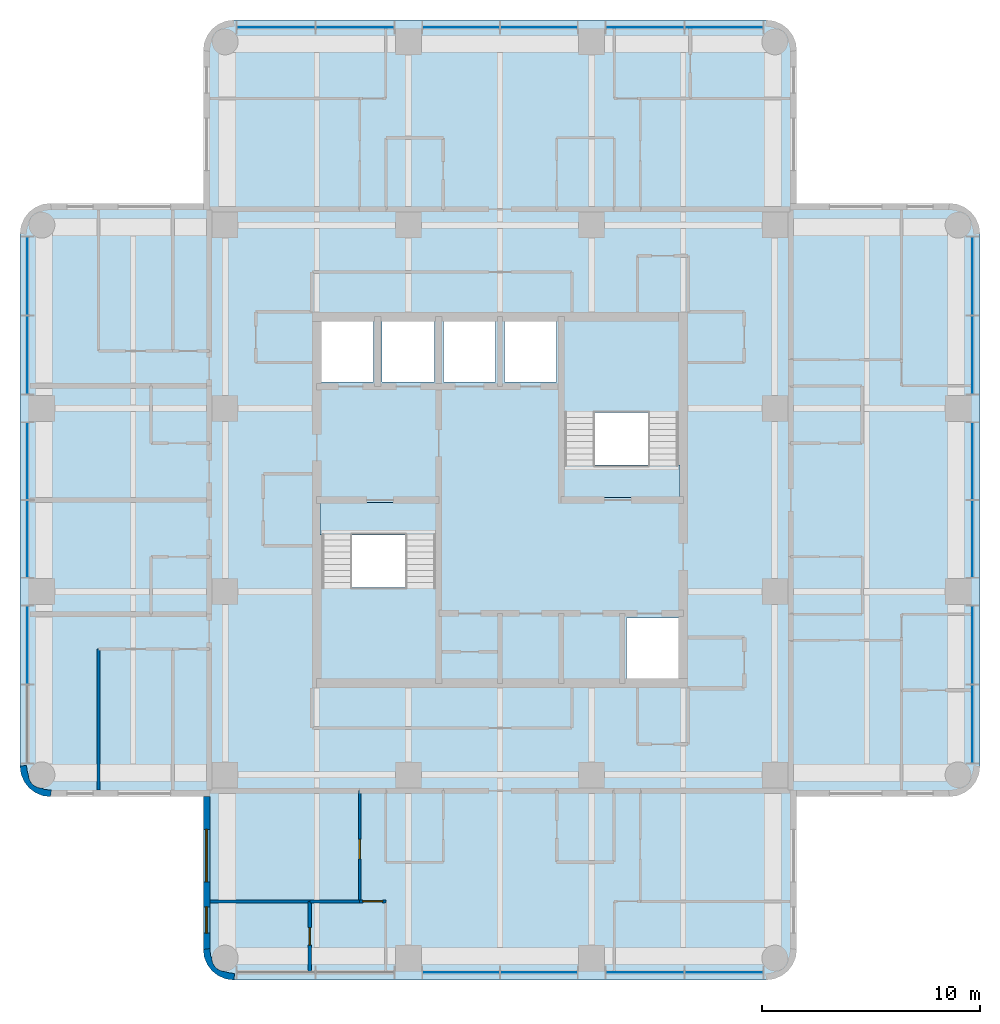
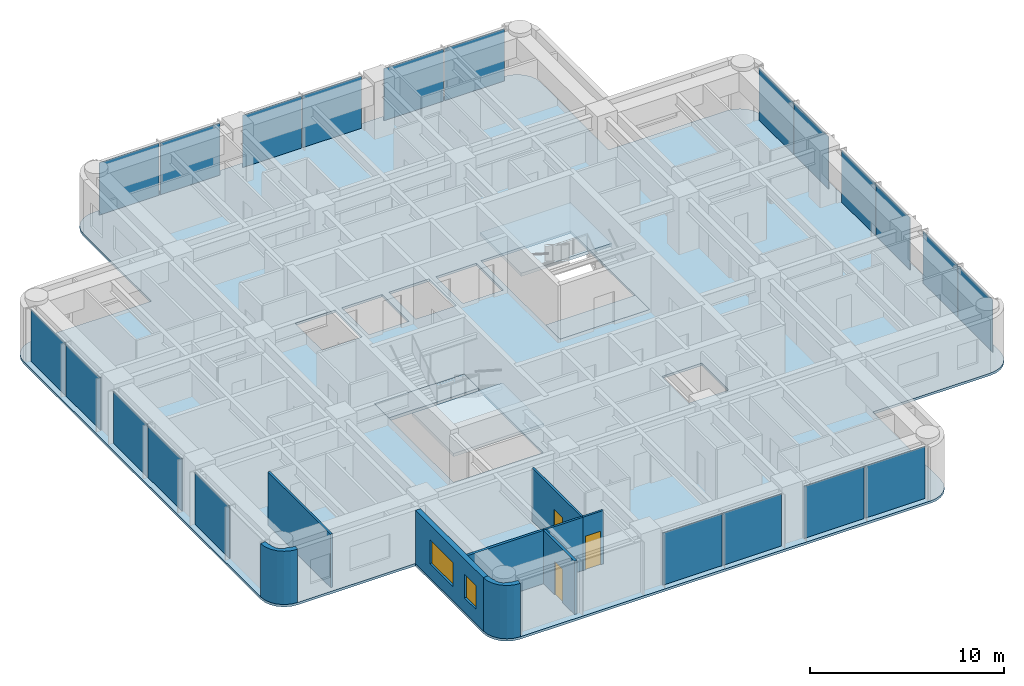
# One storey, part 3 of 10: 21 plates, 9 walls, 5 slabs, 3 doors, 2 windows, 5 openings, 6 elements without a shape of their own.
"""IFC4 building model written with IfcOpenShell, lengths in metres."""

from ifc_helpers import new_model, si_unit, direction, frame, frame_2d, origin, origin_2d, place, context, subcontext, project, spatial, polyline, rectangle, outline, extrude, material, layer, layer_set, type_object, element, fill, aggregate, save


model = new_model("IFC4")

# Units and contexts
model_context = context("Model", 3, precision=1e-05, world=origin(), true_north=direction((0.0, 1.0)))
body_context = subcontext(model_context, "Body", "Model", "MODEL_VIEW")
ifc_project = project(units=[si_unit("LENGTHUNIT", "METRE"), si_unit("AREAUNIT", "SQUARE_METRE"), si_unit("VOLUMEUNIT", "CUBIC_METRE"), si_unit("PLANEANGLEUNIT", "RADIAN"), si_unit("MASSUNIT", "GRAM", prefix="KILO")], contexts=[model_context])

# Site, building, storey
site_placement = place(None, origin())
site = spatial("IfcSite", under=ifc_project, at=site_placement, CompositionType="ELEMENT")
building_placement = place(site_placement, origin())
building = spatial("IfcBuilding", under=site, at=building_placement, Name="Torre Alcanfor", CompositionType="ELEMENT")
storey_placement = place(building_placement, frame((0.0, 0.0, 297.300048828125)))
storey = spatial("IfcBuildingStorey", under=building, at=storey_placement, Name="L78", CompositionType="ELEMENT", Elevation=297.300048828125)

# Curtain wall, plates
ifc_material_1 = material(Name="Aluminium and glass", Category="aluminium")
curtain_wall_type = type_object("IfcCurtainWallType", Name="CW-A unitised apartment glazing with vertical FIN", PredefinedType="NOTDEFINED", material=ifc_material_1)
curtain_wall_1_placement = place(storey_placement, origin())
curtain_wall_1 = element("IfcCurtainWall", 1, at=curtain_wall_1_placement, inside=storey, type_object=curtain_wall_type, Name="Curtain wall CW-A L78 2", PredefinedType="NOTDEFINED")
ifc_material_2 = material(Name="Glass", Category="glass")
ifc_layer_1 = layer(ifc_material_2, 0.028076171875)
ifc_layer_set_1 = layer_set([ifc_layer_1], Name="CW-A clear double glazed unit")
plate_type = type_object("IfcPlateType", Name="CW-A clear double glazed unit", PredefinedType="CURTAIN_PANEL", material=ifc_layer_set_1)
plate_1_placement = place(storey_placement, frame((7.75, 39.664794921875, 0.0), z_axis=(0.0, 0.0, 1.0), x_axis=(0.0, -1.0, 0.0)))
plate_1 = element("IfcPlate", 2, at=plate_1_placement, type_object=plate_type, Name="CW-A panel 1.1.1", PredefinedType="CURTAIN_PANEL", context=body_context, shape_type="SweptSolid", body=[
    extrude(rectangle(XDim=3.55322265625, YDim=0.028076171875, at=origin_2d()), origin(), (0.0, 0.0, 1.0), 3.284912109375),
])
plate_2_placement = place(storey_placement, frame((7.75, 36.046630859375, 0.0), z_axis=(0.0, 0.0, 1.0), x_axis=(0.0, -1.0, 0.0)))
plate_2 = element("IfcPlate", 3, at=plate_2_placement, type_object=plate_type, Name="CW-A panel 1.2.1", PredefinedType="CURTAIN_PANEL", context=body_context, shape_type="SweptSolid", body=[
    extrude(rectangle(XDim=3.55322265625, YDim=0.028076171875, at=origin_2d()), origin(), (0.0, 0.0, 1.0), 3.284912109375),
])
plate_3_placement = place(storey_placement, frame((7.75, 31.18115234375, 0.0), z_axis=(0.0, 0.0, 1.0), x_axis=(0.0, -1.0, 0.0)))
plate_3 = element("IfcPlate", 4, at=plate_3_placement, type_object=plate_type, Name="CW-A panel 2.1.1", PredefinedType="CURTAIN_PANEL", context=body_context, shape_type="SweptSolid", body=[
    extrude(rectangle(XDim=3.49755859375, YDim=0.028076171875, at=origin_2d()), origin(), (0.0, 0.0, 1.0), 3.284912109375),
])
plate_4_placement = place(storey_placement, frame((7.75, 27.61865234375, 0.0), z_axis=(0.0, 0.0, 1.0), x_axis=(0.0, -1.0, 0.0)))
plate_4 = element("IfcPlate", 5, at=plate_4_placement, type_object=plate_type, Name="CW-A panel 2.2.1", PredefinedType="CURTAIN_PANEL", context=body_context, shape_type="SweptSolid", body=[
    extrude(rectangle(XDim=3.49755859375, YDim=0.028076171875, at=origin_2d()), origin(), (0.0, 0.0, 1.0), 3.284912109375),
])
plate_5_placement = place(storey_placement, frame((7.75, 22.75341796875, 0.0), z_axis=(0.0, 0.0, 1.0), x_axis=(0.0, -1.0, 0.0)))
plate_5 = element("IfcPlate", 6, at=plate_5_placement, type_object=plate_type, Name="CW-A panel 3.1.1", PredefinedType="CURTAIN_PANEL", context=body_context, shape_type="SweptSolid", body=[
    extrude(rectangle(XDim=3.55322265625, YDim=0.028076171875, at=origin_2d()), origin(), (0.0, 0.0, 1.0), 3.284912109375),
])
aggregate(curtain_wall_1, [plate_1, plate_2, plate_3, plate_4, plate_5])

curtain_wall_2_placement = place(storey_placement, origin())
curtain_wall_2 = element("IfcCurtainWall", 7, at=curtain_wall_2_placement, inside=storey, type_object=curtain_wall_type, Name="Curtain wall CW-A L78 5", PredefinedType="NOTDEFINED")
plate_6_placement = place(storey_placement, frame((27.61865234375, 7.75, 0.0), z_axis=(0.0, 0.0, 1.0), x_axis=(1.0, 0.0, 0.0)))
plate_6 = element("IfcPlate", 8, at=plate_6_placement, type_object=plate_type, Name="CW-A panel 2.1.1", PredefinedType="CURTAIN_PANEL", context=body_context, shape_type="SweptSolid", body=[
    extrude(rectangle(XDim=3.49755859375, YDim=0.028076171875, at=origin_2d()), origin(), (0.0, 0.0, 1.0), 3.284912109375),
])
plate_7_placement = place(storey_placement, frame((31.18115234375, 7.75, 0.0), z_axis=(0.0, 0.0, 1.0), x_axis=(1.0, 0.0, 0.0)))
plate_7 = element("IfcPlate", 9, at=plate_7_placement, type_object=plate_type, Name="CW-A panel 2.2.1", PredefinedType="CURTAIN_PANEL", context=body_context, shape_type="SweptSolid", body=[
    extrude(rectangle(XDim=3.49755859375, YDim=0.028076171875, at=origin_2d()), origin(), (0.0, 0.0, 1.0), 3.284912109375),
])
plate_8_placement = place(storey_placement, frame((36.046630859375, 7.75, 0.0), z_axis=(0.0, 0.0, 1.0), x_axis=(1.0, 0.0, 0.0)))
plate_8 = element("IfcPlate", 10, at=plate_8_placement, type_object=plate_type, Name="CW-A panel 3.1.1", PredefinedType="CURTAIN_PANEL", context=body_context, shape_type="SweptSolid", body=[
    extrude(rectangle(XDim=3.55322265625, YDim=0.028076171875, at=origin_2d()), origin(), (0.0, 0.0, 1.0), 3.284912109375),
])
plate_9_placement = place(storey_placement, frame((39.664794921875, 7.75, 0.0), z_axis=(0.0, 0.0, 1.0), x_axis=(1.0, 0.0, 0.0)))
plate_9 = element("IfcPlate", 11, at=plate_9_placement, type_object=plate_type, Name="CW-A panel 3.2.1", PredefinedType="CURTAIN_PANEL", context=body_context, shape_type="SweptSolid", body=[
    extrude(rectangle(XDim=3.55322265625, YDim=0.028076171875, at=origin_2d()), origin(), (0.0, 0.0, 1.0), 3.284912109375),
])
aggregate(curtain_wall_2, [plate_6, plate_7, plate_8, plate_9])

curtain_wall_3_placement = place(storey_placement, origin())
curtain_wall_3 = element("IfcCurtainWall", 12, at=curtain_wall_3_placement, inside=storey, type_object=curtain_wall_type, Name="Curtain wall CW-A L78 8", PredefinedType="NOTDEFINED")
plate_10_placement = place(storey_placement, frame((51.050048828125, 19.135009765625, 0.0), z_axis=(0.0, 0.0, 1.0), x_axis=(0.0, 1.0, 0.0)))
plate_10 = element("IfcPlate", 13, at=plate_10_placement, type_object=plate_type, Name="CW-A panel 1.1.1", PredefinedType="CURTAIN_PANEL", context=body_context, shape_type="SweptSolid", body=[
    extrude(rectangle(XDim=3.55322265625, YDim=0.028076171875, at=origin_2d()), origin(), (0.0, 0.0, 1.0), 3.284912109375),
])
plate_11_placement = place(storey_placement, frame((51.050048828125, 22.75341796875, 0.0), z_axis=(0.0, 0.0, 1.0), x_axis=(0.0, 1.0, 0.0)))
plate_11 = element("IfcPlate", 14, at=plate_11_placement, type_object=plate_type, Name="CW-A panel 1.2.1", PredefinedType="CURTAIN_PANEL", context=body_context, shape_type="SweptSolid", body=[
    extrude(rectangle(XDim=3.55322265625, YDim=0.028076171875, at=origin_2d()), origin(), (0.0, 0.0, 1.0), 3.284912109375),
])
plate_12_placement = place(storey_placement, frame((51.050048828125, 27.61865234375, 0.0), z_axis=(0.0, 0.0, 1.0), x_axis=(0.0, 1.0, 0.0)))
plate_12 = element("IfcPlate", 15, at=plate_12_placement, type_object=plate_type, Name="CW-A panel 2.1.1", PredefinedType="CURTAIN_PANEL", context=body_context, shape_type="SweptSolid", body=[
    extrude(rectangle(XDim=3.49755859375, YDim=0.028076171875, at=origin_2d()), origin(), (0.0, 0.0, 1.0), 3.284912109375),
])
plate_13_placement = place(storey_placement, frame((51.050048828125, 31.18115234375, 0.0), z_axis=(0.0, 0.0, 1.0), x_axis=(0.0, 1.0, 0.0)))
plate_13 = element("IfcPlate", 16, at=plate_13_placement, type_object=plate_type, Name="CW-A panel 2.2.1", PredefinedType="CURTAIN_PANEL", context=body_context, shape_type="SweptSolid", body=[
    extrude(rectangle(XDim=3.49755859375, YDim=0.028076171875, at=origin_2d()), origin(), (0.0, 0.0, 1.0), 3.284912109375),
])
plate_14_placement = place(storey_placement, frame((51.050048828125, 36.046630859375, 0.0), z_axis=(0.0, 0.0, 1.0), x_axis=(0.0, 1.0, 0.0)))
plate_14 = element("IfcPlate", 17, at=plate_14_placement, type_object=plate_type, Name="CW-A panel 3.1.1", PredefinedType="CURTAIN_PANEL", context=body_context, shape_type="SweptSolid", body=[
    extrude(rectangle(XDim=3.55322265625, YDim=0.028076171875, at=origin_2d()), origin(), (0.0, 0.0, 1.0), 3.284912109375),
])
plate_15_placement = place(storey_placement, frame((51.050048828125, 39.664794921875, 0.0), z_axis=(0.0, 0.0, 1.0), x_axis=(0.0, 1.0, 0.0)))
plate_15 = element("IfcPlate", 18, at=plate_15_placement, type_object=plate_type, Name="CW-A panel 3.2.1", PredefinedType="CURTAIN_PANEL", context=body_context, shape_type="SweptSolid", body=[
    extrude(rectangle(XDim=3.55322265625, YDim=0.028076171875, at=origin_2d()), origin(), (0.0, 0.0, 1.0), 3.284912109375),
])
aggregate(curtain_wall_3, [plate_10, plate_11, plate_12, plate_13, plate_14, plate_15])

curtain_wall_4_placement = place(storey_placement, origin())
curtain_wall_4 = element("IfcCurtainWall", 19, at=curtain_wall_4_placement, inside=storey, type_object=curtain_wall_type, Name="Curtain wall CW-A L78 11", PredefinedType="NOTDEFINED")
plate_16_placement = place(storey_placement, frame((39.664794921875, 51.050048828125, 0.0), z_axis=(0.0, 0.0, 1.0), x_axis=(-1.0, 0.0, 0.0)))
plate_16 = element("IfcPlate", 20, at=plate_16_placement, type_object=plate_type, Name="CW-A panel 1.1.1", PredefinedType="CURTAIN_PANEL", context=body_context, shape_type="SweptSolid", body=[
    extrude(rectangle(XDim=3.55322265625, YDim=0.028076171875, at=origin_2d()), origin(), (0.0, 0.0, 1.0), 3.284912109375),
])
plate_17_placement = place(storey_placement, frame((36.046630859375, 51.050048828125, 0.0), z_axis=(0.0, 0.0, 1.0), x_axis=(-1.0, 0.0, 0.0)))
plate_17 = element("IfcPlate", 21, at=plate_17_placement, type_object=plate_type, Name="CW-A panel 1.2.1", PredefinedType="CURTAIN_PANEL", context=body_context, shape_type="SweptSolid", body=[
    extrude(rectangle(XDim=3.55322265625, YDim=0.028076171875, at=origin_2d()), origin(), (0.0, 0.0, 1.0), 3.284912109375),
])
plate_18_placement = place(storey_placement, frame((31.18115234375, 51.050048828125, 0.0), z_axis=(0.0, 0.0, 1.0), x_axis=(-1.0, 0.0, 0.0)))
plate_18 = element("IfcPlate", 22, at=plate_18_placement, type_object=plate_type, Name="CW-A panel 2.1.1", PredefinedType="CURTAIN_PANEL", context=body_context, shape_type="SweptSolid", body=[
    extrude(rectangle(XDim=3.49755859375, YDim=0.028076171875, at=origin_2d()), origin(), (0.0, 0.0, 1.0), 3.284912109375),
])
plate_19_placement = place(storey_placement, frame((27.61865234375, 51.050048828125, 0.0), z_axis=(0.0, 0.0, 1.0), x_axis=(-1.0, 0.0, 0.0)))
plate_19 = element("IfcPlate", 23, at=plate_19_placement, type_object=plate_type, Name="CW-A panel 2.2.1", PredefinedType="CURTAIN_PANEL", context=body_context, shape_type="SweptSolid", body=[
    extrude(rectangle(XDim=3.49755859375, YDim=0.028076171875, at=origin_2d()), origin(), (0.0, 0.0, 1.0), 3.284912109375),
])
plate_20_placement = place(storey_placement, frame((22.75341796875, 51.050048828125, 0.0), z_axis=(0.0, 0.0, 1.0), x_axis=(-1.0, 0.0, 0.0)))
plate_20 = element("IfcPlate", 24, at=plate_20_placement, type_object=plate_type, Name="CW-A panel 3.1.1", PredefinedType="CURTAIN_PANEL", context=body_context, shape_type="SweptSolid", body=[
    extrude(rectangle(XDim=3.55322265625, YDim=0.028076171875, at=origin_2d()), origin(), (0.0, 0.0, 1.0), 3.284912109375),
])
plate_21_placement = place(storey_placement, frame((19.135009765625, 51.050048828125, 0.0), z_axis=(0.0, 0.0, 1.0), x_axis=(-1.0, 0.0, 0.0)))
plate_21 = element("IfcPlate", 25, at=plate_21_placement, type_object=plate_type, Name="CW-A panel 3.2.1", PredefinedType="CURTAIN_PANEL", context=body_context, shape_type="SweptSolid", body=[
    extrude(rectangle(XDim=3.55322265625, YDim=0.028076171875, at=origin_2d()), origin(), (0.0, 0.0, 1.0), 3.284912109375),
])
aggregate(curtain_wall_4, [plate_16, plate_17, plate_18, plate_19, plate_20, plate_21])

# Slab
ifc_material_3 = material(Name="Concrete f'c 35 MPa", Category="concrete")
ifc_layer_2 = layer(ifc_material_3, 0.14990234375)
ifc_layer_set_2 = layer_set([ifc_layer_2], Name="Composite floor 150 on metal deck")
slab_type_1 = type_object("IfcSlabType", Name="Composite floor 150 on metal deck", PredefinedType="FLOOR", material=ifc_layer_set_2)
slab_1_placement = place(storey_placement, frame((0.0, 0.0, -0.150146484375)))
element("IfcSlab", 26, at=slab_1_placement, inside=storey, type_object=slab_type_1, Name="Floor slab L78", PredefinedType="FLOOR", context=body_context, shape_type="SweptSolid", body=[
    extrude(outline(polyline([(15.800048828125, 43.0), (8.800048828125, 43.0), (8.437744140625, 42.952392578125), (8.10009765625, 42.8125), (7.81005859375, 42.58984375), (7.587646484375, 42.300048828125), (7.44775390625, 41.96240234375), (7.39990234375, 41.60009765625), (7.39990234375, 17.199951171875), (7.44775390625, 16.837646484375), (7.587646484375, 16.5), (7.81005859375, 16.210205078125), (8.10009765625, 15.987548828125), (8.437744140625, 15.84765625), (8.800048828125, 15.800048828125), (15.800048828125, 15.800048828125), (15.800048828125, 8.800048828125), (15.84765625, 8.437744140625), (15.987548828125, 8.10009765625), (16.210205078125, 7.81005859375), (16.5, 7.587646484375), (16.837646484375, 7.44775390625), (17.199951171875, 7.39990234375), (41.60009765625, 7.39990234375), (41.96240234375, 7.44775390625), (42.300048828125, 7.587646484375), (42.58984375, 7.81005859375), (42.8125, 8.10009765625), (42.952392578125, 8.437744140625), (43.0, 8.800048828125), (43.0, 15.800048828125), (50.0, 15.800048828125), (50.3623046875, 15.84765625), (50.699951171875, 15.987548828125), (50.989990234375, 16.210205078125), (51.21240234375, 16.5), (51.352294921875, 16.837646484375), (51.39990234375, 17.199951171875), (51.39990234375, 41.60009765625), (51.352294921875, 41.96240234375), (51.21240234375, 42.300048828125), (50.989990234375, 42.58984375), (50.699951171875, 42.8125), (50.3623046875, 42.952392578125), (50.0, 43.0), (43.0, 43.0), (43.0, 50.0), (42.952392578125, 50.3623046875), (42.8125, 50.699951171875), (42.58984375, 50.989990234375), (42.300048828125, 51.21240234375), (41.96240234375, 51.352294921875), (41.60009765625, 51.39990234375), (17.199951171875, 51.39990234375), (16.837646484375, 51.352294921875), (16.5, 51.21240234375), (16.210205078125, 50.989990234375), (15.987548828125, 50.699951171875), (15.84765625, 50.3623046875), (15.800048828125, 50.0), (15.800048828125, 43.0)]), holes=[polyline([(21.14501953125, 21.14501953125), (26.47998046875, 21.14501953125), (26.47998046875, 29.280029296875), (21.14501953125, 29.280029296875), (21.14501953125, 21.14501953125)]), polyline([(32.320068359375, 29.52001953125), (37.655029296875, 29.52001953125), (37.655029296875, 37.655029296875), (32.320068359375, 37.655029296875), (32.320068359375, 29.52001953125)]), polyline([(35.199951171875, 21.22509765625), (37.574951171875, 21.22509765625), (37.574951171875, 24.0), (35.199951171875, 24.0), (35.199951171875, 21.22509765625)]), polyline([(21.22509765625, 34.800048828125), (23.60009765625, 34.800048828125), (23.60009765625, 37.574951171875), (21.22509765625, 37.574951171875), (21.22509765625, 34.800048828125)]), polyline([(24.0, 34.800048828125), (26.39990234375, 34.800048828125), (26.39990234375, 37.574951171875), (24.0, 37.574951171875), (24.0, 34.800048828125)]), polyline([(26.800048828125, 34.800048828125), (29.199951171875, 34.800048828125), (29.199951171875, 37.574951171875), (26.800048828125, 37.574951171875), (26.800048828125, 34.800048828125)]), polyline([(29.60009765625, 34.800048828125), (32.0, 34.800048828125), (32.0, 37.574951171875), (29.60009765625, 37.574951171875), (29.60009765625, 34.800048828125)])]), origin(), (0.0, 0.0, 1.0), 0.150146484375),
])

# Stair, slabs
ifc_material_4 = material(Name="Concrete f'c 35 MPa", Category="concrete")
stair_type_1 = type_object("IfcStairType", Name="Exit stair S1 1400 wide", PredefinedType="HALF_TURN_STAIR", material=ifc_material_4)
stair_1_placement = place(storey_placement, origin())
stair_1 = element("IfcStair", 27, at=stair_1_placement, inside=storey, type_object=stair_type_1, Name="Stair S1 L78 to L79", PredefinedType="HALF_TURN_STAIR")
ifc_material_5 = material(Name="Concrete f'c 35 MPa", Category="concrete")
ifc_layer_3 = layer(ifc_material_5, 0.199951171875)
ifc_layer_set_3 = layer_set([ifc_layer_3], Name="Stair landing 200")
slab_type_2 = type_object("IfcSlabType", Name="Stair landing 200", PredefinedType="LANDING", material=ifc_layer_set_3)
slab_2_placement = place(storey_placement, frame((0.0, 0.0, -0.199951171875)))
slab_2 = element("IfcSlab", 28, at=slab_2_placement, type_object=slab_type_2, Name="S1 landing 1", PredefinedType="LANDING", context=body_context, shape_type="SweptSolid", body=[
    extrude(outline(polyline([(21.14501953125, 27.800048828125), (26.47998046875, 27.800048828125), (26.47998046875, 29.280029296875), (21.14501953125, 29.280029296875), (21.14501953125, 27.800048828125)])), origin(), (0.0, 0.0, 1.0), 0.199951171875),
])
slab_3_placement = place(storey_placement, frame((0.0, 0.0, 1.599853515625)))
slab_3 = element("IfcSlab", 29, at=slab_3_placement, type_object=slab_type_2, Name="S1 landing 2", PredefinedType="LANDING", context=body_context, shape_type="SweptSolid", body=[
    extrude(outline(polyline([(21.14501953125, 21.14501953125), (26.530029296875, 21.14501953125), (26.530029296875, 25.3798828125), (21.14501953125, 25.3798828125), (21.14501953125, 21.14501953125)])), origin(), (0.0, 0.0, 1.0), 0.2001953125),
])
aggregate(stair_1, [slab_2, slab_3])

ifc_material_6 = material(Name="Concrete f'c 35 MPa", Category="concrete")
stair_type_2 = type_object("IfcStairType", Name="Exit stair S2 1400 wide", PredefinedType="HALF_TURN_STAIR", material=ifc_material_6)
stair_2_placement = place(storey_placement, origin())
stair_2 = element("IfcStair", 30, at=stair_2_placement, inside=storey, type_object=stair_type_2, Name="Stair S2 L78 to L79", PredefinedType="HALF_TURN_STAIR")
slab_4_placement = place(storey_placement, frame((0.0, 0.0, -0.199951171875)))
slab_4 = element("IfcSlab", 31, at=slab_4_placement, type_object=slab_type_2, Name="S2 landing 1", PredefinedType="LANDING", context=body_context, shape_type="SweptSolid", body=[
    extrude(outline(polyline([(32.320068359375, 29.52001953125), (37.655029296875, 29.52001953125), (37.655029296875, 31.0), (32.320068359375, 31.0), (32.320068359375, 29.52001953125)])), origin(), (0.0, 0.0, 1.0), 0.199951171875),
])
slab_5_placement = place(storey_placement, frame((0.0, 0.0, 1.599853515625)))
slab_5 = element("IfcSlab", 32, at=slab_5_placement, type_object=slab_type_2, Name="S2 landing 2", PredefinedType="LANDING", context=body_context, shape_type="SweptSolid", body=[
    extrude(outline(polyline([(32.27001953125, 33.419921875), (37.655029296875, 33.419921875), (37.655029296875, 37.655029296875), (32.27001953125, 37.655029296875), (32.27001953125, 33.419921875)])), origin(), (0.0, 0.0, 1.0), 0.2001953125),
])
aggregate(stair_2, [slab_4, slab_5])

# Wall, opening, door
ifc_material_7 = material(Name="Gypsum board on steel studs", Category="steel")
ifc_layer_4 = layer(ifc_material_7, 0.1201171875)
ifc_layer_set_4 = layer_set([ifc_layer_4], Name="Apartment partition 120")
wall_type_1 = type_object("IfcWallType", Name="Apartment partition 120", PredefinedType="PARTITIONING", material=ifc_layer_set_4)
wall_1_placement = place(storey_placement, frame((22.970947265625, 11.0, 0.0), z_axis=(0.0, 0.0, 1.0), x_axis=(0.0, 1.0, 0.0)))
wall_1 = element("IfcWall", 33, at=wall_1_placement, inside=storey, type_object=wall_type_1, Name="Partition L78-SX-LIVING / L78-SX-BED3", PredefinedType="PARTITIONING", context=body_context, shape_type="SweptSolid", body=[
    extrude(rectangle(XDim=5.074951171875, YDim=0.1201171875, at=frame_2d((2.53759765625, 0.0))), origin(), (0.0, 0.0, 1.0), 3.349853515625),
])
opening_1_placement = place(wall_1_placement, frame((1.949951171875, 0.0, 0.0)))
opening_1 = element("IfcOpeningElement", 34, at=opening_1_placement, cuts=wall_1, Name="Opening D-R1", PredefinedType="OPENING", context=body_context, shape_type="SweptSolid", body=[
    extrude(rectangle(XDim=0.89990234375, YDim=2.10009765625, at=frame_2d((0.449951171875, 1.050048828125))), frame((0.0, 0.070068359375, 0.0), z_axis=(0.0, -1.0, 0.0), x_axis=(1.0, 0.0, 0.0)), (0.0, 0.0, 1.0), 0.14013671875),
])
ifc_material_8 = material(Name="Timber", Category="wood")
door_type_1 = type_object("IfcDoorType", Name="Internal door 900x2100", OperationType="SINGLE_SWING_LEFT", PredefinedType="DOOR", material=ifc_material_8)
door_1_placement = place(opening_1_placement, origin())
door_1 = element("IfcDoor", 35, at=door_1_placement, inside=storey, type_object=door_type_1, Name="Door L78-SX bed3", OperationType="SINGLE_SWING_LEFT", OverallHeight=2.10009765625, OverallWidth=0.89990234375, PredefinedType="DOOR", context=body_context, shape_type="SweptSolid", body=[
    extrude(rectangle(XDim=0.89990234375, YDim=2.10009765625, at=frame_2d((0.449951171875, 1.050048828125))), frame((0.0, 0.02490234375, 0.0), z_axis=(0.0, -1.0, 0.0), x_axis=(1.0, 0.0, 0.0)), (0.0, 0.0, 1.0), 0.050048828125),
])
fill(opening_1, door_1)

wall_2_placement = place(storey_placement, frame((24.1708984375, 11.0, 0.0), z_axis=(0.0, 0.0, 1.0), x_axis=(-1.0, 0.0, 0.0)))
wall_2 = element("IfcWall", 36, at=wall_2_placement, inside=storey, type_object=wall_type_1, Name="Partition L78-SX-LIVING / L78-SX-BED1", PredefinedType="PARTITIONING", context=body_context, shape_type="SweptSolid", body=[
    extrude(rectangle(XDim=1.199951171875, YDim=0.1201171875, at=frame_2d((0.60009765625, 0.0))), origin(), (0.0, 0.0, 1.0), 3.349853515625),
])
opening_2_placement = place(wall_2_placement, frame((0.15087890625, 0.0, 0.0)))
opening_2 = element("IfcOpeningElement", 37, at=opening_2_placement, cuts=wall_2, Name="Opening D-R1", PredefinedType="OPENING", context=body_context, shape_type="SweptSolid", body=[
    extrude(rectangle(XDim=0.89990234375, YDim=2.10009765625, at=frame_2d((0.449951171875, 1.050048828125))), frame((0.0, 0.070068359375, 0.0), z_axis=(0.0, -1.0, 0.0), x_axis=(1.0, 0.0, 0.0)), (0.0, 0.0, 1.0), 0.14013671875),
])
door_2_placement = place(opening_2_placement, origin())
door_2 = element("IfcDoor", 38, at=door_2_placement, inside=storey, type_object=door_type_1, Name="Door L78-SX bed1", OperationType="SINGLE_SWING_LEFT", OverallHeight=2.10009765625, OverallWidth=0.89990234375, PredefinedType="DOOR", context=body_context, shape_type="SweptSolid", body=[
    extrude(rectangle(XDim=0.89990234375, YDim=2.10009765625, at=frame_2d((0.449951171875, 1.050048828125))), frame((0.0, 0.02490234375, 0.0), z_axis=(0.0, -1.0, 0.0), x_axis=(1.0, 0.0, 0.0)), (0.0, 0.0, 1.0), 0.050048828125),
])
fill(opening_2, door_2)

# Walls
wall_3_placement = place(storey_placement, frame((20.68603515625, 11.0, 0.0), z_axis=(0.0, 0.0, 1.0), x_axis=(1.0, 0.0, 0.0)))
element("IfcWall", 39, at=wall_3_placement, inside=storey, type_object=wall_type_1, Name="Partition L78-SX-BED3 / L78-SX-BED1", PredefinedType="PARTITIONING", context=body_context, shape_type="SweptSolid", body=[
    extrude(rectangle(XDim=2.284912109375, YDim=0.1201171875, at=frame_2d((1.142578125, 0.0))), origin(), (0.0, 0.0, 1.0), 3.349853515625),
])
wall_4_placement = place(storey_placement, frame((11.0, 22.571044921875, 0.0), z_axis=(0.0, 0.0, 1.0), x_axis=(0.0, -1.0, 0.0)))
element("IfcWall", 40, at=wall_4_placement, inside=storey, type_object=wall_type_1, Name="Partition L78-W1B-LIVING / L78-W1B-MASTER", PredefinedType="PARTITIONING", context=body_context, shape_type="SweptSolid", body=[
    extrude(rectangle(XDim=6.470947265625, YDim=0.1201171875, at=frame_2d((3.2353515625, 0.0))), origin(), (0.0, 0.0, 1.0), 3.349853515625),
])

# Wall, openings, windows
ifc_material_9 = material(Name="Limestone cladding", Category="masonry")
ifc_layer_5 = layer(ifc_material_9, 0.0400390625, Name="Facing")
ifc_material_10 = material(Name="Ventilated air cavity")
ifc_layer_6 = layer(ifc_material_10, 0.02001953125, ventilated=True, Name="Ventilated joint")
ifc_material_11 = material(Name="Mineral wool insulation", Category="insulation")
ifc_layer_7 = layer(ifc_material_11, 0.10009765625, Name="Insulation")
ifc_material_12 = material(Name="Concrete f'c 35 MPa", Category="concrete")
ifc_layer_8 = layer(ifc_material_12, 0.139892578125, Name="Backing")
ifc_layer_set_5 = layer_set([ifc_layer_5, ifc_layer_6, ifc_layer_7, ifc_layer_8], Name="External wall stone-clad 300")
wall_type_2 = type_object("IfcWallType", Name="External wall stone-clad 300", PredefinedType="SOLIDWALL", material=ifc_layer_set_5)
wall_5_placement = place(storey_placement, frame((15.949951171875, 15.800048828125, 0.0), z_axis=(0.0, 0.0, 1.0), x_axis=(0.0, -1.0, 0.0)))
wall_5 = element("IfcWall", 41, at=wall_5_placement, inside=storey, type_object=wall_type_2, Name="External wall L78 4", PredefinedType="SOLIDWALL", context=body_context, shape_type="SweptSolid", body=[
    extrude(rectangle(XDim=7.0, YDim=0.300048828125, at=frame_2d((3.5, 0.0))), origin(), (0.0, 0.0, 1.0), 3.349853515625),
])
opening_3_placement = place(wall_5_placement, frame((1.5, 0.0, 0.89990234375)))
opening_3 = element("IfcOpeningElement", 42, at=opening_3_placement, cuts=wall_5, Name="Opening W1", PredefinedType="OPENING", context=body_context, shape_type="SweptSolid", body=[
    extrude(rectangle(XDim=2.39990234375, YDim=1.5, at=frame_2d((1.199951171875, 0.75))), frame((0.0, 0.159912109375, 0.0), z_axis=(0.0, -1.0, 0.0), x_axis=(1.0, 0.0, 0.0)), (0.0, 0.0, 1.0), 0.320068359375),
])
opening_4_placement = place(wall_5_placement, frame((5.050048828125, 0.0, 0.89990234375)))
opening_4 = element("IfcOpeningElement", 43, at=opening_4_placement, cuts=wall_5, Name="Opening W4", PredefinedType="OPENING", context=body_context, shape_type="SweptSolid", body=[
    extrude(rectangle(XDim=1.199951171875, YDim=1.5, at=frame_2d((0.60009765625, 0.75))), frame((0.0, 0.159912109375, 0.0), z_axis=(0.0, -1.0, 0.0), x_axis=(1.0, 0.0, 0.0)), (0.0, 0.0, 1.0), 0.320068359375),
])
ifc_material_13 = material(Name="Aluminium frame with clear double glazing", Category="aluminium")
window_type_1 = type_object("IfcWindowType", Name="Window bedroom 1200x1500", PartitioningType="SINGLE_PANEL", PredefinedType="WINDOW", material=ifc_material_13)
window_1_placement = place(opening_4_placement, origin())
window_1 = element("IfcWindow", 44, at=window_1_placement, inside=storey, type_object=window_type_1, Name="Window W4 L78-S2", OverallHeight=1.5, OverallWidth=1.199951171875, PartitioningType="SINGLE_PANEL", PredefinedType="WINDOW", context=body_context, shape_type="SweptSolid", body=[
    extrude(rectangle(XDim=1.199951171875, YDim=1.5, at=frame_2d((0.60009765625, 0.75))), frame((0.0, 0.030029296875, 0.0), z_axis=(0.0, -1.0, 0.0), x_axis=(1.0, 0.0, 0.0)), (0.0, 0.0, 1.0), 0.06005859375),
])
fill(opening_4, window_1)
ifc_material_14 = material(Name="Aluminium frame with clear double glazing", Category="aluminium")
window_type_2 = type_object("IfcWindowType", Name="Window bedroom 2400x1500", PartitioningType="SINGLE_PANEL", PredefinedType="WINDOW", material=ifc_material_14)
window_2_placement = place(opening_3_placement, origin())
window_2 = element("IfcWindow", 45, at=window_2_placement, inside=storey, type_object=window_type_2, Name="Window W1 L78-S2", OverallHeight=1.5, OverallWidth=2.39990234375, PartitioningType="SINGLE_PANEL", PredefinedType="WINDOW", context=body_context, shape_type="SweptSolid", body=[
    extrude(rectangle(XDim=2.39990234375, YDim=1.5, at=frame_2d((1.199951171875, 0.75))), frame((0.0, 0.030029296875, 0.0), z_axis=(0.0, -1.0, 0.0), x_axis=(1.0, 0.0, 0.0)), (0.0, 0.0, 1.0), 0.06005859375),
])
fill(opening_3, window_2)

# Walls
ifc_layer_9 = layer(ifc_material_9, 0.0400390625, Name="Facing")
ifc_layer_10 = layer(ifc_material_10, 0.02001953125, ventilated=True, Name="Ventilated joint")
ifc_layer_11 = layer(ifc_material_11, 0.10009765625, Name="Insulation")
ifc_layer_12 = layer(ifc_material_12, 0.139892578125, Name="Backing")
ifc_layer_set_6 = layer_set([ifc_layer_9, ifc_layer_10, ifc_layer_11, ifc_layer_12], Name="Rounded corner pier stone-clad 300")
wall_type_3 = type_object("IfcWallType", Name="Rounded corner pier stone-clad 300", PredefinedType="SOLIDWALL", material=ifc_layer_set_6)
wall_6_placement = place(storey_placement, frame((7.824101883, 17.161581746, 0.0), z_axis=(0.0, 0.0, 1.0), x_axis=(-0.707106781187, -0.707106781187, 0.0)))
element("IfcWall", 46, at=wall_6_placement, inside=storey, type_object=wall_type_3, Name="Corner pier L78 14", PredefinedType="SOLIDWALL", context=body_context, shape_type="SweptSolid", body=[
    extrude(outline(polyline([(0.04667321568762184, 1.4544919802800873), (0.23311738650829356, 1.2117692912302127), (0.29215804060150635, 1.069174027250699), (0.3579314008632433, 1.0034006669889621), (0.4494271513585729, 0.7824297978681659), (0.4494271513585729, 0.5431597786483039), (0.35793140086324327, 0.322534176510509), (0.2921580406015063, 0.256760816248772), (0.23311738650829356, 0.11416555226925829), (0.046673215687621845, -0.12890240376361745), (0.032689902876071465, -0.14288571657516783), (0.2728230895534366, -0.32708565200633144), (0.4951750266062377, -0.037061386285286546), (0.6350081547217414, 0.30060972308993), (0.6826549983759133, 0.6627947882582349), (0.6350081547217414, 1.025325120409541), (0.49517502660623774, 1.3629962297847575), (0.27265045606193605, 1.652847862014302), (0.03251726938457078, 1.4686479265831383), (0.04667321568762184, 1.4544919802800873)])), origin(), (0.0, 0.0, 1.0), 3.349853515625),
])
wall_7_placement = place(storey_placement, frame((16.224101883, 8.761581746, 0.0), z_axis=(0.0, 0.0, 1.0), x_axis=(-0.707106781187, -0.707106781187, 0.0)))
element("IfcWall", 47, at=wall_7_placement, inside=storey, type_object=wall_type_3, Name="Corner pier L78 15", PredefinedType="SOLIDWALL", context=body_context, shape_type="SweptSolid", body=[
    extrude(outline(polyline([(0.032689902876070875, 1.4686824532814384), (0.04667321568762128, 1.4546991404698881), (0.233117386508293, 1.2116311844370125), (0.29215804060150563, 1.0690359204574986), (0.3579314008632426, 1.0032625601957617), (0.44942715135857225, 0.7826369580579667), (0.44942715135857225, 0.5433669388381047), (0.3579314008632426, 0.3223960697173086), (0.29215804060150563, 0.25662270945557164), (0.23311738650829295, 0.11402744547605792), (0.04667321568762121, -0.12869524357381656), (0.03251726938457021, -0.14285118987686757), (0.27265045606193533, -0.3270511253080312), (0.49517502660623713, -0.03719949307848694), (0.6350081547217409, 0.3004716162967297), (0.6826549983759126, 0.6630019484480357), (0.6350081547217409, 1.0251870136163408), (0.495175026606237, 1.362858122991557), (0.27282308955343604, 1.652882388712602), (0.032689902876070875, 1.4686824532814384)])), origin(), (0.0, 0.0, 1.0), 3.349853515625),
])
ifc_material_15 = material(Name="Cement board on steel studs", Category="steel")
ifc_layer_13 = layer(ifc_material_15, 0.14990234375)
ifc_layer_set_7 = layer_set([ifc_layer_13], Name="Wet area partition 150")
wall_type_4 = type_object("IfcWallType", Name="Wet area partition 150", PredefinedType="PARTITIONING", material=ifc_layer_set_7)
wall_8_placement = place(storey_placement, frame((16.10009765625, 11.0, 0.0), z_axis=(0.0, 0.0, 1.0), x_axis=(1.0, 0.0, 0.0)))
element("IfcWall", 48, at=wall_8_placement, inside=storey, type_object=wall_type_4, Name="Partition L78-SX-BED3 / L78-SX-BATH1", PredefinedType="PARTITIONING", context=body_context, shape_type="SweptSolid", body=[
    extrude(rectangle(XDim=4.5859375, YDim=0.14990234375, at=frame_2d((2.29296875, 0.0))), origin(), (0.0, 0.0, 1.0), 3.349853515625),
])

# Wall, opening, door
wall_9_placement = place(storey_placement, frame((20.68603515625, 7.75, 0.0), z_axis=(0.0, 0.0, 1.0), x_axis=(0.0, 1.0, 0.0)))
wall_9 = element("IfcWall", 49, at=wall_9_placement, inside=storey, type_object=wall_type_4, Name="Partition L78-SX-BATH1 / L78-SX-BED1", PredefinedType="PARTITIONING", context=body_context, shape_type="SweptSolid", body=[
    extrude(rectangle(XDim=3.25, YDim=0.14990234375, at=frame_2d((1.625, 0.0))), origin(), (0.0, 0.0, 1.0), 3.349853515625),
])
opening_5_placement = place(wall_9_placement, frame((1.25, 0.0, 0.0)))
opening_5 = element("IfcOpeningElement", 50, at=opening_5_placement, cuts=wall_9, Name="Opening D-R2", PredefinedType="OPENING", context=body_context, shape_type="SweptSolid", body=[
    extrude(rectangle(XDim=0.800048828125, YDim=2.10009765625, at=frame_2d((0.39990234375, 1.050048828125))), frame((0.0, 0.0849609375, 0.0), z_axis=(0.0, -1.0, 0.0), x_axis=(1.0, 0.0, 0.0)), (0.0, 0.0, 1.0), 0.169921875),
])
ifc_material_16 = material(Name="Timber", Category="wood")
door_type_2 = type_object("IfcDoorType", Name="Bathroom door 800x2100", OperationType="SINGLE_SWING_LEFT", PredefinedType="DOOR", material=ifc_material_16)
door_3_placement = place(opening_5_placement, frame((0.800048828125, 0.0, 0.0), z_axis=(0.0, 0.0, 1.0), x_axis=(-1.0, 0.0, 0.0)))
door_3 = element("IfcDoor", 51, at=door_3_placement, inside=storey, type_object=door_type_2, Name="Door L78-SX bath1", OperationType="SINGLE_SWING_LEFT", OverallHeight=2.10009765625, OverallWidth=0.800048828125, PredefinedType="DOOR", context=body_context, shape_type="SweptSolid", body=[
    extrude(rectangle(XDim=0.800048828125, YDim=2.10009765625, at=frame_2d((0.400146484375, 1.050048828125))), frame((0.0, 0.025146484375, 0.0), z_axis=(0.0, -1.0, 0.0), x_axis=(1.0, 0.0, 0.0)), (0.0, 0.0, 1.0), 0.050048828125),
])
fill(opening_5, door_3)

save(model, "model.ifc")
